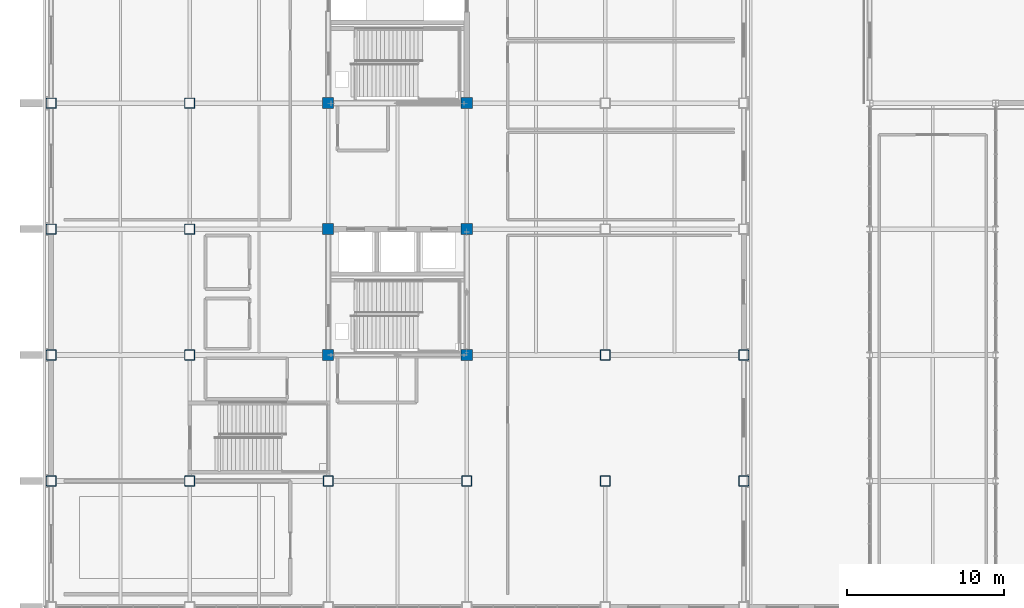
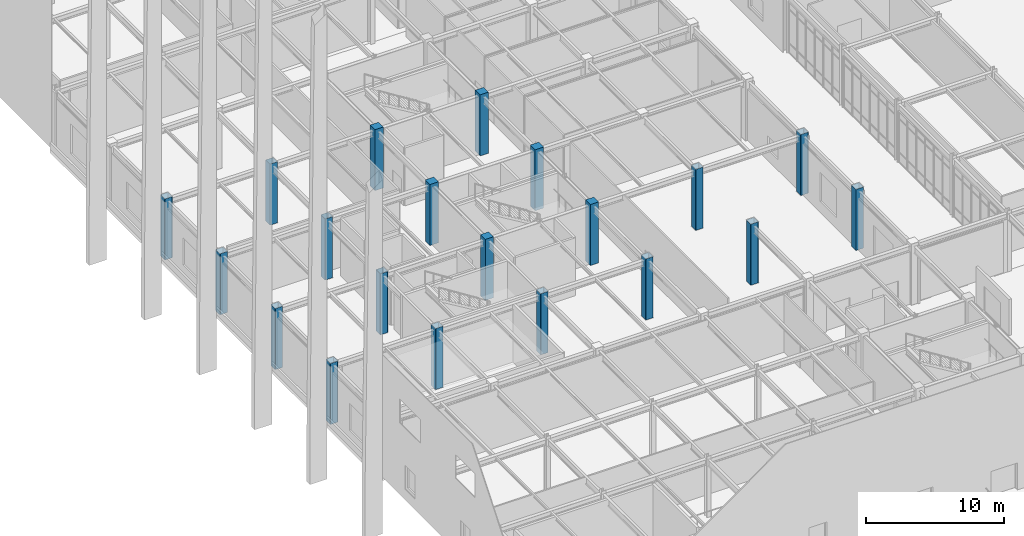
# One storey, part 3 of 119: 20 columns.
"""IFC4 building model written with IfcOpenShell, lengths in metres."""

from ifc_helpers import new_model, si_unit, direction, frame, origin, origin_2d, place, context, subcontext, project, spatial, rectangle, hollow_rectangle, extrude, material, material_profile, profile_set, type_object, element, save


model = new_model("IFC4")

# Units and contexts
model_context = context("Model", 3, precision=1e-05, world=origin(), true_north=direction((0.0, 1.0)))
body_context = subcontext(model_context, "Body", "Model", "MODEL_VIEW")
ifc_project = project(units=[si_unit("LENGTHUNIT", "METRE"), si_unit("AREAUNIT", "SQUARE_METRE"), si_unit("VOLUMEUNIT", "CUBIC_METRE"), si_unit("PLANEANGLEUNIT", "RADIAN"), si_unit("MASSUNIT", "GRAM", prefix="KILO")], contexts=[model_context])

# Site, building, storey
site_placement = place(None, origin())
site = spatial("IfcSite", under=ifc_project, at=site_placement, CompositionType="ELEMENT")
building_placement = place(site_placement, origin())
building = spatial("IfcBuilding", under=site, at=building_placement, Name="Zhaolan Boulevard Law Courts", CompositionType="ELEMENT")
storey_placement = place(building_placement, origin())
storey = spatial("IfcBuildingStorey", under=building, at=storey_placement, Name="L00", CompositionType="ELEMENT", Elevation=0.0)

# Columns
ifc_material_1 = material(Name="Structural steel Q390B", Category="steel")
ifc_material_profile_1 = material_profile(ifc_material_1, hollow_rectangle(XDim=0.64990234375, YDim=0.64990234375, WallThickness=0.02587890625, InnerFilletRadius=0.02587890625, OuterFilletRadius=0.052001953125, at=origin_2d()), Name="BOX650x650x26")
ifc_profile_set_1 = profile_set([ifc_material_profile_1], Name="Structural steel Q390B")
column_type_1 = type_object("IfcColumnType", Name="COL BOX650", PredefinedType="COLUMN", material=ifc_profile_set_1)
for number, where, z_axis, x_axis, name in (
    (1, (0.0, 38.0, 0.0), (0.0, 0.0, 1.0), (1.0, 0.0, 0.0), "Column C-1F (L00)"),
    (2, (0.0, 46.0, 0.0), (0.0, 0.0, 1.0), (1.0, 0.0, 0.0), "Column C-1G (L00)"),
    (3, (0.0, 54.0, 0.0), (0.0, 0.0, 1.0), (1.0, 0.0, 0.0), "Column C-1H (L00)"),
    (4, (0.0, 62.0, 0.0), (0.0, 0.0, 1.0), (1.0, 0.0, 0.0), "Column C-1J (L00)"),
    (5, (8.800048828125, 38.0, 0.0), (0.0, 0.0, 1.0), (1.0, 0.0, 0.0), "Column C-2F (L00)"),
    (6, (8.800048828125, 46.0, 0.0), (0.0, 0.0, 1.0), (1.0, 0.0, 0.0), "Column C-2G (L00)"),
    (7, (8.800048828125, 54.0, 0.0), (0.0, 0.0, 1.0), (1.0, 0.0, 0.0), "Column C-2H (L00)"),
    (8, (8.800048828125, 62.0, 0.0), (0.0, 0.0, 1.0), (1.0, 0.0, 0.0), "Column C-2J (L00)"),
    (9, (17.60009765625, 38.0, 0.0), (0.0, 0.0, 1.0), (1.0, 0.0, 0.0), "Column C-3F (L00)"),
    (10, (26.39990234375, 38.0, 0.0), (0.0, 0.0, 1.0), (1.0, 0.0, 0.0), "Column C-4F (L00)"),
    (11, (35.199951171875, 38.0, 0.0), (0.0, 0.0, 1.0), (1.0, 0.0, 0.0), "Column C-5F (L00)"),
    (12, (35.199951171875, 46.0, 0.0), (0.0, 0.0, 1.0), (1.0, 0.0, 0.0), "Column C-5G (L00)"),
    (13, (44.0, 38.0, 0.0), (0.0, 0.0, 1.0), (1.0, 0.0, 0.0), "Column C-6F (L00)"),
    (14, (44.0, 46.0, 0.0), (0.0, 0.0, 1.0), (1.0, 0.0, 0.0), "Column C-6G (L00)"),
):
    element("IfcColumn", number, at=place(storey_placement, frame(where, z_axis=z_axis, x_axis=x_axis)), inside=storey, type_object=column_type_1, Name=name, PredefinedType="COLUMN", context=body_context, shape_type="SweptSolid", body=[
        extrude(hollow_rectangle(XDim=0.64990234375, YDim=0.64990234375, WallThickness=0.02587890625, InnerFilletRadius=0.02587890625, OuterFilletRadius=0.052001953125, at=origin_2d()), origin(), (0.0, 0.0, 1.0), 5.39990234375),
    ])
ifc_material_2 = material(Name="Concrete C50", Category="concrete")
ifc_material_profile_2 = material_profile(ifc_material_2, rectangle(XDim=0.699951171875, YDim=0.699951171875, at=origin_2d()), Name="RC700x700")
ifc_profile_set_2 = profile_set([ifc_material_profile_2], Name="Concrete C50")
column_type_2 = type_object("IfcColumnType", Name="COL RC700", PredefinedType="COLUMN", material=ifc_profile_set_2)
for number, where, z_axis, x_axis, name in (
    (15, (17.60009765625, 46.0, 0.0), (0.0, 0.0, 1.0), (1.0, 0.0, 0.0), "Column C-3G (L00)"),
    (16, (17.60009765625, 54.0, 0.0), (0.0, 0.0, 1.0), (1.0, 0.0, 0.0), "Column C-3H (L00)"),
    (17, (17.60009765625, 62.0, 0.0), (0.0, 0.0, 1.0), (1.0, 0.0, 0.0), "Column C-3J (L00)"),
    (18, (26.39990234375, 46.0, 0.0), (0.0, 0.0, 1.0), (1.0, 0.0, 0.0), "Column C-4G (L00)"),
    (19, (26.39990234375, 54.0, 0.0), (0.0, 0.0, 1.0), (1.0, 0.0, 0.0), "Column C-4H (L00)"),
    (20, (26.39990234375, 62.0, 0.0), (0.0, 0.0, 1.0), (1.0, 0.0, 0.0), "Column C-4J (L00)"),
):
    element("IfcColumn", number, at=place(storey_placement, frame(where, z_axis=z_axis, x_axis=x_axis)), inside=storey, type_object=column_type_2, Name=name, PredefinedType="COLUMN", context=body_context, shape_type="SweptSolid", body=[
        extrude(rectangle(XDim=0.699951171875, YDim=0.699951171875, at=origin_2d()), origin(), (0.0, 0.0, 1.0), 5.39990234375),
    ])

save(model, "model.ifc")
